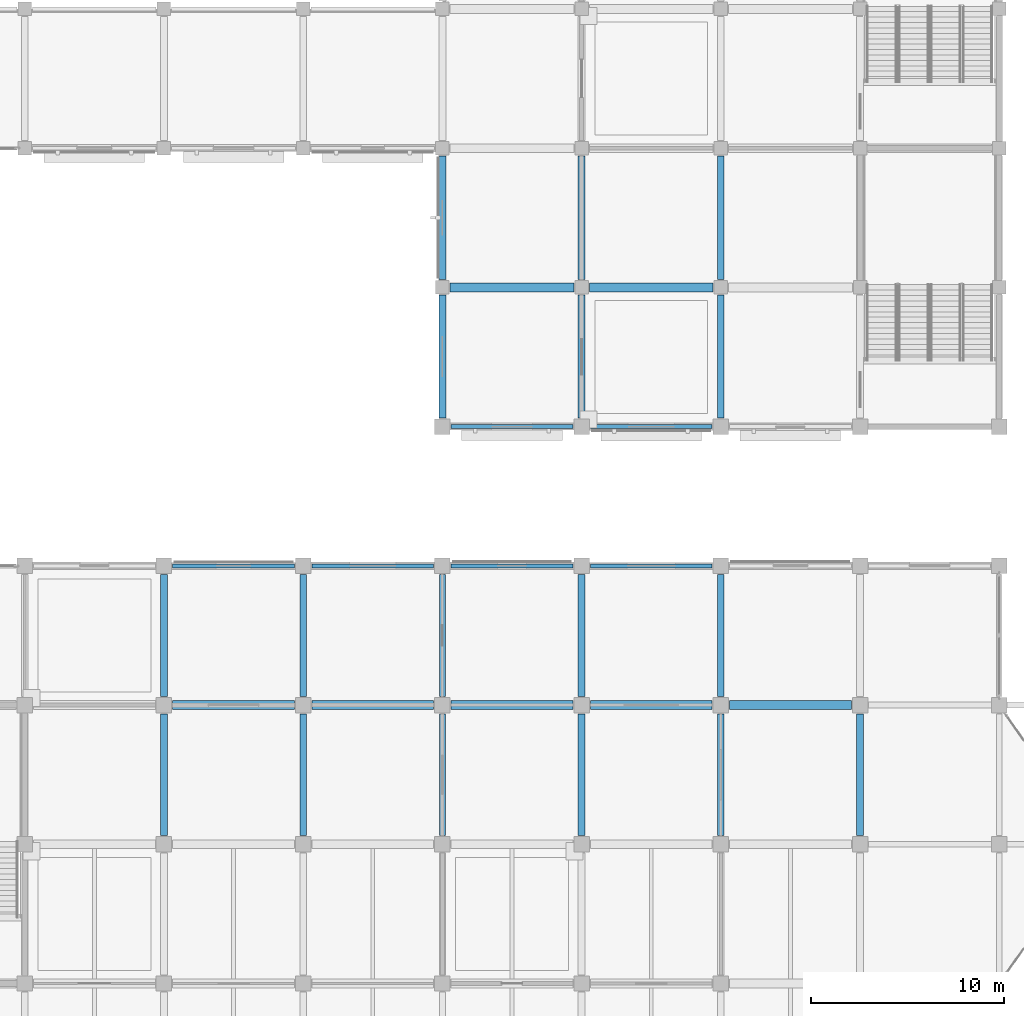
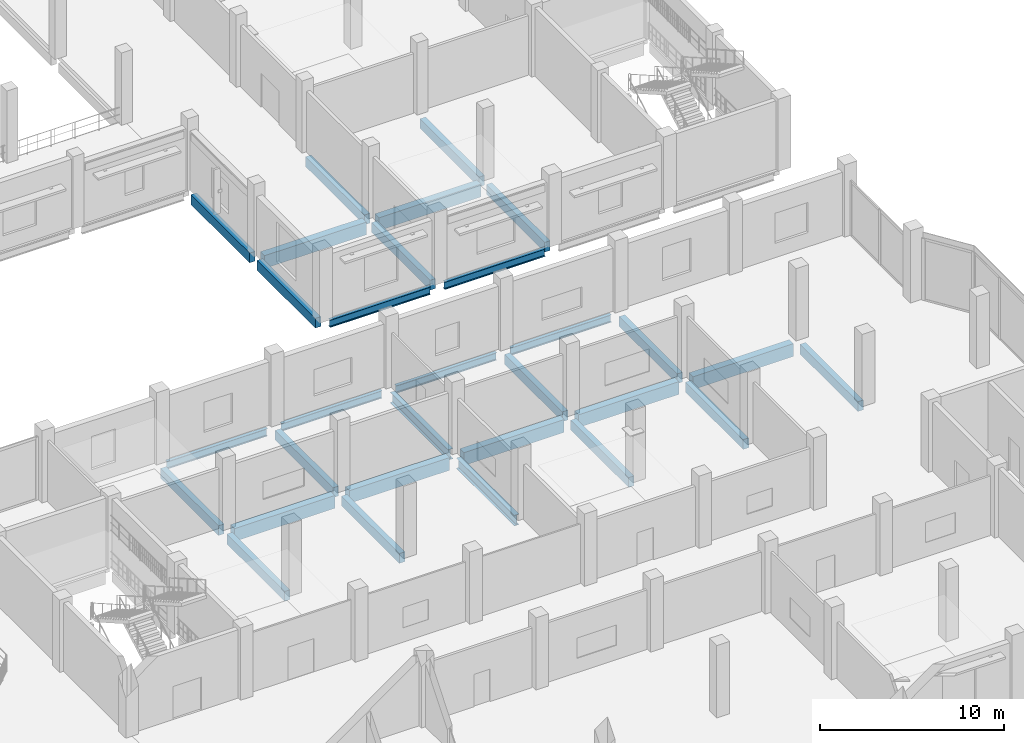
# One storey, part 48 of 99: 30 beams.
"""IFC4 building model written with IfcOpenShell, lengths in metres."""

from ifc_helpers import new_model, si_unit, direction, frame, origin, origin_2d, place, context, subcontext, project, spatial, rectangle, i_section, extrude, material, material_profile, profile_set, type_object, element, save


model = new_model("IFC4")

# Units and contexts
model_context = context("Model", 3, precision=1e-05, world=origin(), true_north=direction((0.0, 1.0)))
body_context = subcontext(model_context, "Body", "Model", "MODEL_VIEW")
ifc_project = project(units=[si_unit("LENGTHUNIT", "METRE"), si_unit("AREAUNIT", "SQUARE_METRE"), si_unit("VOLUMEUNIT", "CUBIC_METRE"), si_unit("PLANEANGLEUNIT", "RADIAN"), si_unit("MASSUNIT", "GRAM", prefix="KILO")], contexts=[model_context])

# Site, building, storey
site_placement = place(None, origin())
site = spatial("IfcSite", under=ifc_project, at=site_placement, CompositionType="ELEMENT")
building_placement = place(site_placement, origin())
building = spatial("IfcBuilding", under=site, at=building_placement, Name="Vesperath Aquatics Centre", CompositionType="ELEMENT")
storey_placement = place(building_placement, frame((0.0, 0.0, 5.39990234375)))
storey = spatial("IfcBuildingStorey", under=building, at=storey_placement, Name="L01", CompositionType="ELEMENT", Elevation=5.39990234375)

# Beams
ifc_material_1 = material(Name="Concrete C35", Category="concrete")
ifc_material_profile_1 = material_profile(ifc_material_1, rectangle(XDim=0.449951171875, YDim=0.85009765625, at=origin_2d()), Name="RC 450x850")
ifc_profile_set_1 = profile_set([ifc_material_profile_1], Name="Concrete C35")
beam_type_1 = type_object("IfcBeamType", Name="BM-G03", PredefinedType="BEAM", material=ifc_profile_set_1)
for number, where, z_axis, x_axis, name in (
    (1, (130.050048828125, 36.0, -0.684814453125), (1.0, 0.0, 0.0), (0.0, 1.0, 0.0), "Floor Girder B03 L01 F 19-20"),
    (2, (137.25, 36.0, -0.684814453125), (1.0, 0.0, 0.0), (0.0, 1.0, 0.0), "Floor Girder B03 L01 F 20-21"),
    (3, (144.449951171875, 36.0, -0.684814453125), (1.0, 0.0, 0.0), (0.0, 1.0, 0.0), "Floor Girder B03 L01 F 21-22"),
):
    element("IfcBeam", number, at=place(storey_placement, frame(where, z_axis=z_axis, x_axis=x_axis)), inside=storey, type_object=beam_type_1, Name=name, PredefinedType="BEAM", context=body_context, shape_type="SweptSolid", body=[
        extrude(rectangle(XDim=0.449951171875, YDim=0.85009765625, at=origin_2d()), origin(), (0.0, 0.0, 1.0), 6.300048828125),
    ])
beam_1_placement = place(storey_placement, frame((144.39990234375, 57.60009765625, -0.684814453125), z_axis=(1.0, 0.0, 0.0), x_axis=(0.0, 1.0, 0.0)))
element("IfcBeam", 4, at=beam_1_placement, inside=storey, type_object=beam_type_1, Name="Floor Girder B03 L01 J 21-22", PredefinedType="BEAM", context=body_context, shape_type="SweptSolid", body=[
    extrude(rectangle(XDim=0.449951171875, YDim=0.85009765625, at=origin_2d()), origin(), (0.0, 0.0, 1.0), 6.400146484375),
])
beam_2_placement = place(storey_placement, frame((151.64990234375, 36.0, -0.684814453125), z_axis=(1.0, 0.0, 0.0), x_axis=(0.0, 1.0, 0.0)))
element("IfcBeam", 5, at=beam_2_placement, inside=storey, type_object=beam_type_1, Name="Floor Girder B03 L01 F 22-23", PredefinedType="BEAM", context=body_context, shape_type="SweptSolid", body=[
    extrude(rectangle(XDim=0.449951171875, YDim=0.85009765625, at=origin_2d()), origin(), (0.0, 0.0, 1.0), 6.300048828125),
])
beam_3_placement = place(storey_placement, frame((151.60009765625, 57.60009765625, -0.684814453125), z_axis=(1.0, 0.0, 0.0), x_axis=(0.0, 1.0, 0.0)))
element("IfcBeam", 6, at=beam_3_placement, inside=storey, type_object=beam_type_1, Name="Floor Girder B03 L01 J 22-23", PredefinedType="BEAM", context=body_context, shape_type="SweptSolid", body=[
    extrude(rectangle(XDim=0.449951171875, YDim=0.85009765625, at=origin_2d()), origin(), (0.0, 0.0, 1.0), 6.39990234375),
])
beam_4_placement = place(storey_placement, frame((158.85009765625, 36.0, -0.684814453125), z_axis=(1.0, 0.0, 0.0), x_axis=(0.0, 1.0, 0.0)))
element("IfcBeam", 7, at=beam_4_placement, inside=storey, type_object=beam_type_1, Name="Floor Girder B03 L01 F 23-24", PredefinedType="BEAM", context=body_context, shape_type="SweptSolid", body=[
    extrude(rectangle(XDim=0.449951171875, YDim=0.85009765625, at=origin_2d()), origin(), (0.0, 0.0, 1.0), 6.2998046875),
])
ifc_material_profile_2 = material_profile(ifc_material_1, rectangle(XDim=0.35009765625, YDim=0.64990234375, at=origin_2d()), Name="RC 350x650")
ifc_profile_set_2 = profile_set([ifc_material_profile_2], Name="Concrete C35")
beam_type_2 = type_object("IfcBeamType", Name="BM-G05", PredefinedType="BEAM", material=ifc_profile_set_2)
for number, where, z_axis, x_axis, name in (
    (8, (129.60009765625, 29.25, -0.5849609375), (0.0, 1.0, 0.0), (-1.0, 0.0, 0.0), "Floor Girder B05 L01 19 E-F"),
    (9, (129.60009765625, 36.449951171875, -0.5849609375), (0.0, 1.0, 0.0), (-1.0, 0.0, 0.0), "Floor Girder B05 L01 19 F-G"),
    (10, (136.800048828125, 29.25, -0.5849609375), (0.0, 1.0, 0.0), (-1.0, 0.0, 0.0), "Floor Girder B05 L01 20 E-F"),
    (11, (136.800048828125, 36.449951171875, -0.5849609375), (0.0, 1.0, 0.0), (-1.0, 0.0, 0.0), "Floor Girder B05 L01 20 F-G"),
):
    element("IfcBeam", number, at=place(storey_placement, frame(where, z_axis=z_axis, x_axis=x_axis)), inside=storey, type_object=beam_type_2, Name=name, PredefinedType="BEAM", context=body_context, shape_type="SweptSolid", body=[
        extrude(rectangle(XDim=0.35009765625, YDim=0.64990234375, at=origin_2d()), origin(), (0.0, 0.0, 1.0), 6.300048828125),
    ])
beam_5_placement = place(storey_placement, frame((144.0, 50.85009765625, -0.5849609375), z_axis=(0.0, 1.0, 0.0), x_axis=(-1.0, 0.0, 0.0)))
element("IfcBeam", 12, at=beam_5_placement, inside=storey, type_object=beam_type_2, Name="Floor Girder B05 L01 21 H-J", PredefinedType="BEAM", context=body_context, shape_type="SweptSolid", body=[
    extrude(rectangle(XDim=0.35009765625, YDim=0.64990234375, at=origin_2d()), origin(), (0.0, 0.0, 1.0), 6.349853515625),
])
beam_6_placement = place(storey_placement, frame((144.0, 58.0, -0.5849609375), z_axis=(0.0, 1.0, 0.0), x_axis=(-1.0, 0.0, 0.0)))
element("IfcBeam", 13, at=beam_6_placement, inside=storey, type_object=beam_type_2, Name="Floor Girder B05 L01 21 J-K", PredefinedType="BEAM", context=body_context, shape_type="SweptSolid", body=[
    extrude(rectangle(XDim=0.35009765625, YDim=0.64990234375, at=origin_2d()), origin(), (0.0, 0.0, 1.0), 6.39990234375),
])
for number, where, z_axis, x_axis, name in (
    (14, (151.199951171875, 29.25, -0.5849609375), (0.0, 1.0, 0.0), (-1.0, 0.0, 0.0), "Floor Girder B05 L01 22 E-F"),
    (15, (151.199951171875, 36.449951171875, -0.5849609375), (0.0, 1.0, 0.0), (-1.0, 0.0, 0.0), "Floor Girder B05 L01 22 F-G"),
):
    element("IfcBeam", number, at=place(storey_placement, frame(where, z_axis=z_axis, x_axis=x_axis)), inside=storey, type_object=beam_type_2, Name=name, PredefinedType="BEAM", context=body_context, shape_type="SweptSolid", body=[
        extrude(rectangle(XDim=0.35009765625, YDim=0.64990234375, at=origin_2d()), origin(), (0.0, 0.0, 1.0), 6.300048828125),
    ])
beam_7_placement = place(storey_placement, frame((151.199951171875, 50.85009765625, -0.5849609375), z_axis=(0.0, 1.0, 0.0), x_axis=(-1.0, 0.0, 0.0)))
element("IfcBeam", 16, at=beam_7_placement, inside=storey, type_object=beam_type_2, Name="Floor Girder B05 L01 22 H-J", PredefinedType="BEAM", context=body_context, shape_type="SweptSolid", body=[
    extrude(rectangle(XDim=0.35009765625, YDim=0.64990234375, at=origin_2d()), origin(), (0.0, 0.0, 1.0), 6.349853515625),
])
beam_8_placement = place(storey_placement, frame((151.199951171875, 58.0, -0.5849609375), z_axis=(0.0, 1.0, 0.0), x_axis=(-1.0, 0.0, 0.0)))
element("IfcBeam", 17, at=beam_8_placement, inside=storey, type_object=beam_type_2, Name="Floor Girder B05 L01 22 J-K", PredefinedType="BEAM", context=body_context, shape_type="SweptSolid", body=[
    extrude(rectangle(XDim=0.35009765625, YDim=0.64990234375, at=origin_2d()), origin(), (0.0, 0.0, 1.0), 6.39990234375),
])
for number, where, z_axis, x_axis, name in (
    (18, (158.39990234375, 29.25, -0.5849609375), (0.0, 1.0, 0.0), (-1.0, 0.0, 0.0), "Floor Girder B05 L01 23 E-F"),
    (19, (158.39990234375, 36.449951171875, -0.5849609375), (0.0, 1.0, 0.0), (-1.0, 0.0, 0.0), "Floor Girder B05 L01 23 F-G"),
):
    element("IfcBeam", number, at=place(storey_placement, frame(where, z_axis=z_axis, x_axis=x_axis)), inside=storey, type_object=beam_type_2, Name=name, PredefinedType="BEAM", context=body_context, shape_type="SweptSolid", body=[
        extrude(rectangle(XDim=0.35009765625, YDim=0.64990234375, at=origin_2d()), origin(), (0.0, 0.0, 1.0), 6.300048828125),
    ])
beam_9_placement = place(storey_placement, frame((158.39990234375, 50.85009765625, -0.5849609375), z_axis=(0.0, 1.0, 0.0), x_axis=(-1.0, 0.0, 0.0)))
element("IfcBeam", 20, at=beam_9_placement, inside=storey, type_object=beam_type_2, Name="Floor Girder B05 L01 23 H-J", PredefinedType="BEAM", context=body_context, shape_type="SweptSolid", body=[
    extrude(rectangle(XDim=0.35009765625, YDim=0.64990234375, at=origin_2d()), origin(), (0.0, 0.0, 1.0), 6.349853515625),
])
beam_10_placement = place(storey_placement, frame((158.39990234375, 58.0, -0.5849609375), z_axis=(0.0, 1.0, 0.0), x_axis=(-1.0, 0.0, 0.0)))
element("IfcBeam", 21, at=beam_10_placement, inside=storey, type_object=beam_type_2, Name="Floor Girder B05 L01 23 J-K", PredefinedType="BEAM", context=body_context, shape_type="SweptSolid", body=[
    extrude(rectangle(XDim=0.35009765625, YDim=0.64990234375, at=origin_2d()), origin(), (0.0, 0.0, 1.0), 6.39990234375),
])
beam_11_placement = place(storey_placement, frame((165.60009765625, 29.25, -0.5849609375), z_axis=(0.0, 1.0, 0.0), x_axis=(-1.0, 0.0, 0.0)))
element("IfcBeam", 22, at=beam_11_placement, inside=storey, type_object=beam_type_2, Name="Floor Girder B05 L01 24 E-F", PredefinedType="BEAM", context=body_context, shape_type="SweptSolid", body=[
    extrude(rectangle(XDim=0.35009765625, YDim=0.64990234375, at=origin_2d()), origin(), (0.0, 0.0, 1.0), 6.300048828125),
])
ifc_material_2 = material(Name="Steel Q355C", Category="steel")
ifc_material_profile_3 = material_profile(ifc_material_2, i_section(OverallWidth=0.300048828125, OverallDepth=0.699951171875, WebThickness=0.012939453125, FlangeThickness=0.02392578125, FilletRadius=0.028076171875, at=origin_2d()), Name="HN 700x300x13x24")
ifc_profile_set_3 = profile_set([ifc_material_profile_3], Name="Steel Q355C")
beam_type_3 = type_object("IfcBeamType", Name="BM-G08", PredefinedType="BEAM", material=ifc_profile_set_3)
for number, where, z_axis, x_axis, name in (
    (23, (144.0, 29.25, -0.60986328125), (0.0, 1.0, 0.0), (-1.0, 0.0, 0.0), "Floor Girder B08 L01 21 E-F"),
    (24, (144.0, 36.449951171875, -0.60986328125), (0.0, 1.0, 0.0), (-1.0, 0.0, 0.0), "Floor Girder B08 L01 21 F-G"),
):
    element("IfcBeam", number, at=place(storey_placement, frame(where, z_axis=z_axis, x_axis=x_axis)), inside=storey, type_object=beam_type_3, Name=name, PredefinedType="BEAM", context=body_context, shape_type="SweptSolid", body=[
        extrude(i_section(OverallWidth=0.300048828125, OverallDepth=0.699951171875, WebThickness=0.012939453125, FlangeThickness=0.02392578125, FilletRadius=0.028076171875, at=origin_2d()), origin(), (0.0, 0.0, 1.0), 6.300048828125),
    ])
ifc_material_3 = material(Name="Steel Q355D", Category="steel")
ifc_material_profile_4 = material_profile(ifc_material_3, i_section(OverallWidth=0.199951171875, OverallDepth=0.5, WebThickness=0.010009765625, FlangeThickness=0.01611328125, FilletRadius=0.02001953125, at=origin_2d()), Name="HN 500x200x10x16")
ifc_profile_set_4 = profile_set([ifc_material_profile_4], Name="Steel Q355D")
beam_type_4 = type_object("IfcBeamType", Name="BM-SP01", PredefinedType="SPANDREL", material=ifc_profile_set_4)
for number, where, z_axis, x_axis, name in (
    (25, (130.050048828125, 43.199951171875, -0.510009765625), (1.0, 0.0, 0.0), (0.0, 1.0, 0.0), "Floor Girder SP01 L01 G 19-20"),
    (26, (137.25, 43.199951171875, -0.510009765625), (1.0, 0.0, 0.0), (0.0, 1.0, 0.0), "Floor Girder SP01 L01 G 20-21"),
    (27, (144.449951171875, 43.199951171875, -0.510009765625), (1.0, 0.0, 0.0), (0.0, 1.0, 0.0), "Floor Girder SP01 L01 G 21-22"),
    (28, (144.449951171875, 50.39990234375, -0.510009765625), (1.0, 0.0, 0.0), (0.0, 1.0, 0.0), "Floor Girder SP01 L01 H 21-22"),
    (29, (151.64990234375, 43.199951171875, -0.510009765625), (1.0, 0.0, 0.0), (0.0, 1.0, 0.0), "Floor Girder SP01 L01 G 22-23"),
    (30, (151.64990234375, 50.39990234375, -0.510009765625), (1.0, 0.0, 0.0), (0.0, 1.0, 0.0), "Floor Girder SP01 L01 H 22-23"),
):
    element("IfcBeam", number, at=place(storey_placement, frame(where, z_axis=z_axis, x_axis=x_axis)), inside=storey, type_object=beam_type_4, Name=name, PredefinedType="SPANDREL", context=body_context, shape_type="SweptSolid", body=[
        extrude(i_section(OverallWidth=0.199951171875, OverallDepth=0.5, WebThickness=0.010009765625, FlangeThickness=0.01611328125, FilletRadius=0.02001953125, at=origin_2d()), origin(), (0.0, 0.0, 1.0), 6.300048828125),
    ])

save(model, "model.ifc")
